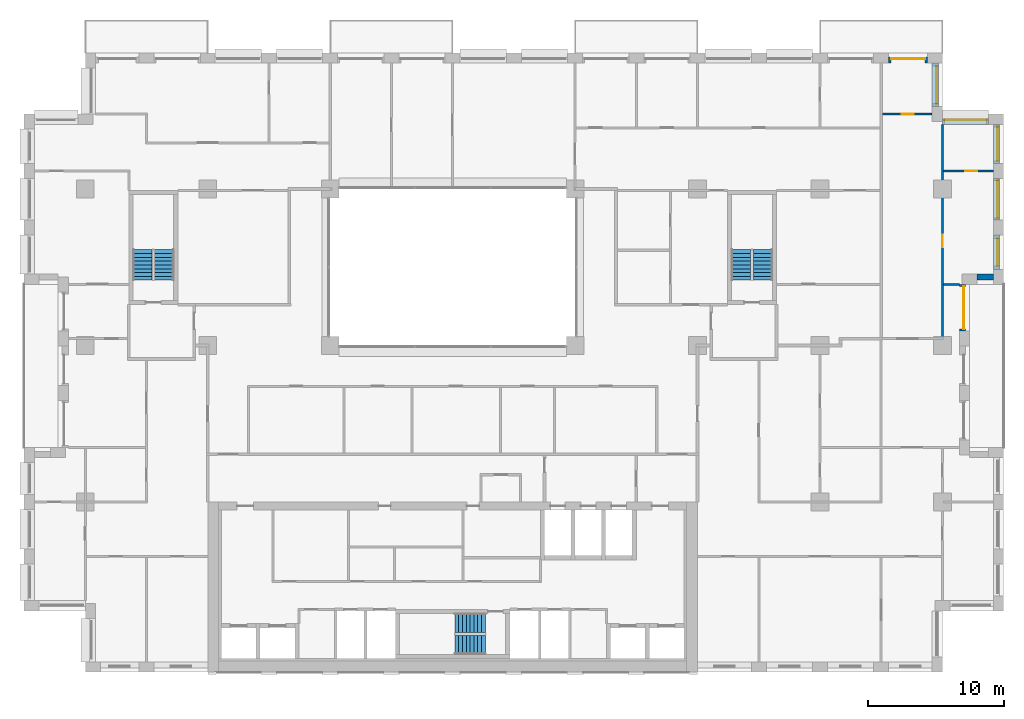
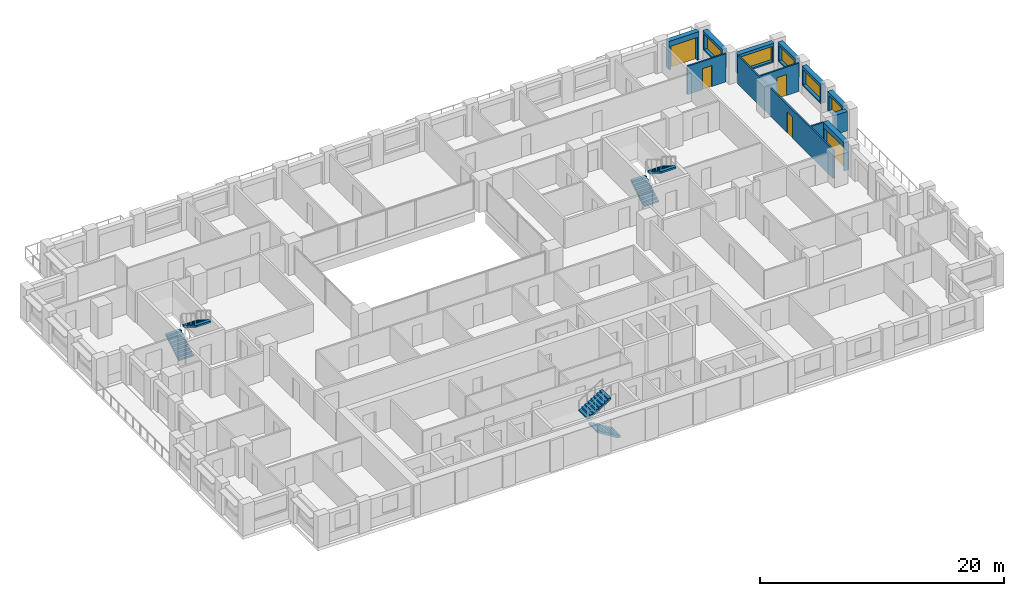
# One storey, part 15 of 16: 12 walls, 6 stair flights, 5 doors, 5 windows, 10 openings, 3 elements without a shape of their own.
"""IFC4 building model written with IfcOpenShell, lengths in metres."""

from ifc_helpers import new_model, si_unit, direction, frame, frame_2d, origin, place, context, subcontext, project, spatial, polyline, rectangle, outline, extrude, material, layer, layer_set, type_object, element, fill, aggregate, save


model = new_model("IFC4")

# Units and contexts
model_context = context("Model", 3, precision=1e-05, world=origin(), true_north=direction((0.0, 1.0)))
body_context = subcontext(model_context, "Body", "Model", "MODEL_VIEW")
ifc_project = project(units=[si_unit("LENGTHUNIT", "METRE"), si_unit("AREAUNIT", "SQUARE_METRE"), si_unit("VOLUMEUNIT", "CUBIC_METRE"), si_unit("PLANEANGLEUNIT", "RADIAN"), si_unit("MASSUNIT", "GRAM", prefix="KILO")], contexts=[model_context])

# Site, building, storey
site_placement = place(None, origin())
site = spatial("IfcSite", under=ifc_project, at=site_placement, CompositionType="ELEMENT")
building_placement = place(site_placement, origin())
building = spatial("IfcBuilding", under=site, at=building_placement, Name="Brigalow Station Residences", CompositionType="ELEMENT")
storey_placement = place(building_placement, frame((0.0, 0.0, 121.35009765625)))
storey = spatial("IfcBuildingStorey", under=building, at=storey_placement, Name="L35", CompositionType="ELEMENT", Elevation=121.35009765625)

# Wall, opening, door
ifc_material_1 = material(Name="Clay brick masonry", Category="masonry")
ifc_layer_1 = layer(ifc_material_1, 0.449951171875)
ifc_layer_set_1 = layer_set([ifc_layer_1], Name="BRICK INFILL WALL 450")
wall_type_1 = type_object("IfcWallType", Name="BRICK INFILL WALL 450", PredefinedType="SOLIDWALL", material=ifc_layer_set_1)
wall_1_placement = place(storey_placement, frame((73.47509765625, 25.050048828125, 0.0), z_axis=(0.0, 0.0, 1.0), x_axis=(0.0, 1.0, 0.0)))
wall_1 = element("IfcWall", 1, at=wall_1_placement, inside=storey, type_object=wall_type_1, Name="L35/ewall/W-L35-16", PredefinedType="SOLIDWALL", context=body_context, shape_type="SweptSolid", body=[
    extrude(rectangle(XDim=3.449951171875, YDim=0.449951171875, at=frame_2d((1.72509765625, 0.0))), origin(), (0.0, 0.0, 1.0), 2.829833984375),
])
opening_1_placement = place(wall_1_placement, frame((0.14990234375, 0.0, 0.0)))
opening_1 = element("IfcOpeningElement", 2, at=opening_1_placement, cuts=wall_1, Name="Opening D-B3150", PredefinedType="OPENING", context=body_context, shape_type="SweptSolid", body=[
    extrude(rectangle(XDim=3.14990234375, YDim=2.300048828125, at=frame_2d((1.574951171875, 1.14990234375))), frame((0.0, 0.23486328125, 0.0), z_axis=(0.0, -1.0, 0.0), x_axis=(1.0, 0.0, 0.0)), (0.0, 0.0, 1.0), 0.469970703125),
])
ifc_material_2 = material(Name="Anodised aluminium frame with double glazing", Category="aluminium")
door_type_1 = type_object("IfcDoorType", Name="BALCONY SLIDING DOOR 3150x2300", OperationType="SLIDING_TO_LEFT", PredefinedType="DOOR", material=ifc_material_2)
door_1_placement = place(opening_1_placement, origin())
door_1 = element("IfcDoor", 3, at=door_1_placement, inside=storey, type_object=door_type_1, Name="L35/balcony-door/W-L35-16", OperationType="SLIDING_TO_LEFT", OverallHeight=2.300048828125, OverallWidth=3.14990234375, PredefinedType="DOOR", context=body_context, shape_type="SweptSolid", body=[
    extrude(rectangle(XDim=3.14990234375, YDim=2.300048828125, at=frame_2d((1.574951171875, 1.14990234375))), frame((0.0, -0.06982421875, 0.0), z_axis=(0.0, -1.0, 0.0), x_axis=(1.0, 0.0, 0.0)), (0.0, 0.0, 1.0), 0.050048828125),
])
fill(opening_1, door_1)

# Wall
wall_2_placement = place(storey_placement, frame((74.550048828125, 29.02490234375, 0.89990234375), z_axis=(0.0, 0.0, 1.0), x_axis=(1.0, 0.0, 0.0)))
element("IfcWall", 4, at=wall_2_placement, inside=storey, type_object=wall_type_1, Name="L35/ewall/W-L35-17", PredefinedType="SOLIDWALL", context=body_context, shape_type="SweptSolid", body=[
    extrude(rectangle(XDim=1.199951171875, YDim=0.449951171875, at=frame_2d((0.60009765625, 0.0))), origin(), (0.0, 0.0, 1.0), 1.929931640625),
])

# Wall, opening, window
wall_3_placement = place(storey_placement, frame((75.97509765625, 29.60009765625, 0.89990234375), z_axis=(0.0, 0.0, 1.0), x_axis=(0.0, 1.0, 0.0)))
wall_3 = element("IfcWall", 5, at=wall_3_placement, inside=storey, type_object=wall_type_1, Name="L35/ewall/W-L35-18", PredefinedType="SOLIDWALL", context=body_context, shape_type="SweptSolid", body=[
    extrude(rectangle(XDim=2.516845703125, YDim=0.449951171875, at=frame_2d((1.25830078125, 0.0))), origin(), (0.0, 0.0, 1.0), 1.929931640625),
])
opening_2_placement = place(wall_3_placement, frame((0.258544921875, 0.0, 0.14990234375)))
opening_2 = element("IfcOpeningElement", 6, at=opening_2_placement, cuts=wall_3, Name="Opening WT-7", PredefinedType="OPENING", context=body_context, shape_type="SweptSolid", body=[
    extrude(rectangle(XDim=2.0, YDim=1.5, at=frame_2d((1.0, 0.75))), frame((0.0, 0.23486328125, 0.0), z_axis=(0.0, -1.0, 0.0), x_axis=(1.0, 0.0, 0.0)), (0.0, 0.0, 1.0), 0.469970703125),
])
ifc_material_3 = material(Name="Anodised aluminium frame with double glazing", Category="aluminium")
window_type_1 = type_object("IfcWindowType", Name="WINDOW 2000x1500", PartitioningType="SINGLE_PANEL", PredefinedType="WINDOW", material=ifc_material_3)
window_1_placement = place(opening_2_placement, origin())
window_1 = element("IfcWindow", 7, at=window_1_placement, inside=storey, type_object=window_type_1, Name="L35/window/W-L35-18", OverallHeight=1.5, OverallWidth=2.0, PartitioningType="SINGLE_PANEL", PredefinedType="WINDOW", context=body_context, shape_type="SweptSolid", body=[
    extrude(rectangle(XDim=2.0, YDim=1.5, at=frame_2d((1.0, 0.75))), frame((0.0, -0.06494140625, 0.0), z_axis=(0.0, -1.0, 0.0), x_axis=(1.0, 0.0, 0.0)), (0.0, 0.0, 1.0), 0.06005859375),
])
fill(opening_2, window_1)

wall_4_placement = place(storey_placement, frame((75.97509765625, 33.217041015625, 0.89990234375), z_axis=(0.0, 0.0, 1.0), x_axis=(0.0, 1.0, 0.0)))
wall_4 = element("IfcWall", 8, at=wall_4_placement, inside=storey, type_object=wall_type_1, Name="L35/ewall/W-L35-19", PredefinedType="SOLIDWALL", context=body_context, shape_type="SweptSolid", body=[
    extrude(rectangle(XDim=3.06591796875, YDim=0.449951171875, at=frame_2d((1.532958984375, 0.0))), origin(), (0.0, 0.0, 1.0), 1.929931640625),
])
opening_3_placement = place(wall_4_placement, frame((0.157958984375, 0.0, 0.14990234375)))
opening_3 = element("IfcOpeningElement", 9, at=opening_3_placement, cuts=wall_4, Name="Opening WT-3", PredefinedType="OPENING", context=body_context, shape_type="SweptSolid", body=[
    extrude(rectangle(XDim=2.75, YDim=1.5, at=frame_2d((1.375, 0.75))), frame((0.0, 0.23486328125, 0.0), z_axis=(0.0, -1.0, 0.0), x_axis=(1.0, 0.0, 0.0)), (0.0, 0.0, 1.0), 0.469970703125),
])
ifc_material_4 = material(Name="Anodised aluminium frame with double glazing", Category="aluminium")
window_type_2 = type_object("IfcWindowType", Name="WINDOW 2750x1500", PartitioningType="SINGLE_PANEL", PredefinedType="WINDOW", material=ifc_material_4)
window_2_placement = place(opening_3_placement, origin())
window_2 = element("IfcWindow", 10, at=window_2_placement, inside=storey, type_object=window_type_2, Name="L35/window/W-L35-19", OverallHeight=1.5, OverallWidth=2.75, PartitioningType="SINGLE_PANEL", PredefinedType="WINDOW", context=body_context, shape_type="SweptSolid", body=[
    extrude(rectangle(XDim=2.75, YDim=1.5, at=frame_2d((1.375, 0.75))), frame((0.0, -0.06494140625, 0.0), z_axis=(0.0, -1.0, 0.0), x_axis=(1.0, 0.0, 0.0)), (0.0, 0.0, 1.0), 0.06005859375),
])
fill(opening_3, window_2)

wall_5_placement = place(storey_placement, frame((75.97509765625, 37.383056640625, 0.89990234375), z_axis=(0.0, 0.0, 1.0), x_axis=(0.0, 1.0, 0.0)))
wall_5 = element("IfcWall", 11, at=wall_5_placement, inside=storey, type_object=wall_type_1, Name="L35/ewall/W-L35-20", PredefinedType="SOLIDWALL", context=body_context, shape_type="SweptSolid", body=[
    extrude(rectangle(XDim=2.866943359375, YDim=0.449951171875, at=frame_2d((1.43359375, 0.0))), origin(), (0.0, 0.0, 1.0), 1.929931640625),
])
opening_4_placement = place(wall_5_placement, frame((0.18359375, 0.0, 0.14990234375)))
opening_4 = element("IfcOpeningElement", 12, at=opening_4_placement, cuts=wall_5, Name="Opening WT-5", PredefinedType="OPENING", context=body_context, shape_type="SweptSolid", body=[
    extrude(rectangle(XDim=2.5, YDim=1.5, at=frame_2d((1.25, 0.75))), frame((0.0, 0.23486328125, 0.0), z_axis=(0.0, -1.0, 0.0), x_axis=(1.0, 0.0, 0.0)), (0.0, 0.0, 1.0), 0.469970703125),
])
ifc_material_5 = material(Name="Anodised aluminium frame with double glazing", Category="aluminium")
window_type_3 = type_object("IfcWindowType", Name="WINDOW 2500x1500", PartitioningType="SINGLE_PANEL", PredefinedType="WINDOW", material=ifc_material_5)
window_3_placement = place(opening_4_placement, origin())
window_3 = element("IfcWindow", 13, at=window_3_placement, inside=storey, type_object=window_type_3, Name="L35/window/W-L35-20", OverallHeight=1.5, OverallWidth=2.5, PartitioningType="SINGLE_PANEL", PredefinedType="WINDOW", context=body_context, shape_type="SweptSolid", body=[
    extrude(rectangle(XDim=2.5, YDim=1.5, at=frame_2d((1.25, 0.75))), frame((0.0, -0.06494140625, 0.0), z_axis=(0.0, -1.0, 0.0), x_axis=(1.0, 0.0, 0.0)), (0.0, 0.0, 1.0), 0.06005859375),
])
fill(opening_4, window_3)

wall_6_placement = place(storey_placement, frame((75.39990234375, 40.47509765625, 0.89990234375), z_axis=(0.0, 0.0, 1.0), x_axis=(-1.0, 0.0, 0.0)))
wall_6 = element("IfcWall", 14, at=wall_6_placement, inside=storey, type_object=wall_type_1, Name="L35/ewall/W-L35-21", PredefinedType="SOLIDWALL", context=body_context, shape_type="SweptSolid", body=[
    extrude(rectangle(XDim=3.39990234375, YDim=0.449951171875, at=frame_2d((1.699951171875, 0.0))), origin(), (0.0, 0.0, 1.0), 1.929931640625),
])
opening_5_placement = place(wall_6_placement, frame((0.14990234375, 0.0, 0.14990234375)))
opening_5 = element("IfcOpeningElement", 15, at=opening_5_placement, cuts=wall_6, Name="Opening WT-8", PredefinedType="OPENING", context=body_context, shape_type="SweptSolid", body=[
    extrude(rectangle(XDim=3.10009765625, YDim=1.5, at=frame_2d((1.550048828125, 0.75))), frame((0.0, 0.23486328125, 0.0), z_axis=(0.0, -1.0, 0.0), x_axis=(1.0, 0.0, 0.0)), (0.0, 0.0, 1.0), 0.469970703125),
])
ifc_material_6 = material(Name="Anodised aluminium frame with double glazing", Category="aluminium")
window_type_4 = type_object("IfcWindowType", Name="WINDOW 3100x1500", PartitioningType="SINGLE_PANEL", PredefinedType="WINDOW", material=ifc_material_6)
window_4_placement = place(opening_5_placement, origin())
window_4 = element("IfcWindow", 16, at=window_4_placement, inside=storey, type_object=window_type_4, Name="L35/window/W-L35-21", OverallHeight=1.5, OverallWidth=3.10009765625, PartitioningType="SINGLE_PANEL", PredefinedType="WINDOW", context=body_context, shape_type="SweptSolid", body=[
    extrude(rectangle(XDim=3.10009765625, YDim=1.5, at=frame_2d((1.550048828125, 0.75))), frame((0.0, -0.06494140625, 0.0), z_axis=(0.0, -1.0, 0.0), x_axis=(1.0, 0.0, 0.0)), (0.0, 0.0, 1.0), 0.06005859375),
])
fill(opening_5, window_4)

wall_7_placement = place(storey_placement, frame((71.47509765625, 41.550048828125, 0.89990234375), z_axis=(0.0, 0.0, 1.0), x_axis=(0.0, 1.0, 0.0)))
wall_7 = element("IfcWall", 17, at=wall_7_placement, inside=storey, type_object=wall_type_1, Name="L35/ewall/W-L35-22", PredefinedType="SOLIDWALL", context=body_context, shape_type="SweptSolid", body=[
    extrude(rectangle(XDim=3.199951171875, YDim=0.449951171875, at=frame_2d((1.60009765625, 0.0))), origin(), (0.0, 0.0, 1.0), 1.929931640625),
])
opening_6_placement = place(wall_7_placement, frame((0.22509765625, 0.0, 0.14990234375)))
opening_6 = element("IfcOpeningElement", 18, at=opening_6_placement, cuts=wall_7, Name="Opening WT-3", PredefinedType="OPENING", context=body_context, shape_type="SweptSolid", body=[
    extrude(rectangle(XDim=2.75, YDim=1.5, at=frame_2d((1.375, 0.75))), frame((0.0, 0.23486328125, 0.0), z_axis=(0.0, -1.0, 0.0), x_axis=(1.0, 0.0, 0.0)), (0.0, 0.0, 1.0), 0.469970703125),
])
window_5_placement = place(opening_6_placement, origin())
window_5 = element("IfcWindow", 19, at=window_5_placement, inside=storey, type_object=window_type_2, Name="L35/window/W-L35-22", OverallHeight=1.5, OverallWidth=2.75, PartitioningType="SINGLE_PANEL", PredefinedType="WINDOW", context=body_context, shape_type="SweptSolid", body=[
    extrude(rectangle(XDim=2.75, YDim=1.5, at=frame_2d((1.375, 0.75))), frame((0.0, -0.06494140625, 0.0), z_axis=(0.0, -1.0, 0.0), x_axis=(1.0, 0.0, 0.0)), (0.0, 0.0, 1.0), 0.06005859375),
])
fill(opening_6, window_5)

# Wall, opening, door
wall_8_placement = place(storey_placement, frame((70.89990234375, 44.97509765625, 0.0), z_axis=(0.0, 0.0, 1.0), x_axis=(-1.0, 0.0, 0.0)))
wall_8 = element("IfcWall", 20, at=wall_8_placement, inside=storey, type_object=wall_type_1, Name="L35/ewall/W-L35-23", PredefinedType="SOLIDWALL", context=body_context, shape_type="SweptSolid", body=[
    extrude(rectangle(XDim=2.849853515625, YDim=0.449951171875, at=frame_2d((1.4248046875, 0.0))), origin(), (0.0, 0.0, 1.0), 2.829833984375),
])
opening_7_placement = place(wall_8_placement, frame((0.175048828125, 0.0, 0.0)))
opening_7 = element("IfcOpeningElement", 21, at=opening_7_placement, cuts=wall_8, Name="Opening D-B2500", PredefinedType="OPENING", context=body_context, shape_type="SweptSolid", body=[
    extrude(rectangle(XDim=2.5, YDim=2.300048828125, at=frame_2d((1.25, 1.14990234375))), frame((0.0, 0.23486328125, 0.0), z_axis=(0.0, -1.0, 0.0), x_axis=(1.0, 0.0, 0.0)), (0.0, 0.0, 1.0), 0.469970703125),
])
ifc_material_7 = material(Name="Anodised aluminium frame with double glazing", Category="aluminium")
door_type_2 = type_object("IfcDoorType", Name="BALCONY SLIDING DOOR 2500x2300", OperationType="SLIDING_TO_LEFT", PredefinedType="DOOR", material=ifc_material_7)
door_2_placement = place(opening_7_placement, origin())
door_2 = element("IfcDoor", 22, at=door_2_placement, inside=storey, type_object=door_type_2, Name="L35/balcony-door/W-L35-23", OperationType="SLIDING_TO_LEFT", OverallHeight=2.300048828125, OverallWidth=2.5, PredefinedType="DOOR", context=body_context, shape_type="SweptSolid", body=[
    extrude(rectangle(XDim=2.5, YDim=2.300048828125, at=frame_2d((1.25, 1.14990234375))), frame((0.0, -0.06982421875, 0.0), z_axis=(0.0, -1.0, 0.0), x_axis=(1.0, 0.0, 0.0)), (0.0, 0.0, 1.0), 0.050048828125),
])
fill(opening_7, door_2)

# Wall
ifc_material_8 = material(Name="Plasterboard on steel stud partition", Category="steel")
ifc_layer_2 = layer(ifc_material_8, 0.14990234375)
ifc_layer_set_2 = layer_set([ifc_layer_2], Name="FLAT PARTITION 150")
wall_type_2 = type_object("IfcWallType", Name="FLAT PARTITION 150", PredefinedType="PARTITIONING", material=ifc_layer_set_2)
wall_9_placement = place(storey_placement, frame((72.074951171875, 28.5, 0.0), z_axis=(0.0, 0.0, 1.0), x_axis=(1.0, 0.0, 0.0)))
element("IfcWall", 23, at=wall_9_placement, inside=storey, type_object=wall_type_2, Name="PW-2E23", PredefinedType="PARTITIONING", context=body_context, shape_type="SweptSolid", body=[
    extrude(rectangle(XDim=1.175048828125, YDim=0.14990234375, at=frame_2d((0.58740234375, 0.0))), origin(), (0.0, 0.0, 1.0), 2.829833984375),
])

# Wall, opening, door
wall_10_placement = place(storey_placement, frame((72.074951171875, 36.8330078125, 0.0), z_axis=(0.0, 0.0, 1.0), x_axis=(1.0, 0.0, 0.0)))
wall_10 = element("IfcWall", 24, at=wall_10_placement, inside=storey, type_object=wall_type_2, Name="PW-2E25", PredefinedType="PARTITIONING", context=body_context, shape_type="SweptSolid", body=[
    extrude(rectangle(XDim=3.675048828125, YDim=0.14990234375, at=frame_2d((1.83740234375, 0.0))), origin(), (0.0, 0.0, 1.0), 2.829833984375),
])
opening_8_placement = place(wall_10_placement, frame((1.60009765625, 0.0, 0.0)))
opening_8 = element("IfcOpeningElement", 25, at=opening_8_placement, cuts=wall_10, Name="Opening D-2E43", PredefinedType="OPENING", context=body_context, shape_type="SweptSolid", body=[
    extrude(rectangle(XDim=0.89990234375, YDim=2.10009765625, at=frame_2d((0.449951171875, 1.050048828125))), frame((0.0, 0.0849609375, 0.0), z_axis=(0.0, -1.0, 0.0), x_axis=(1.0, 0.0, 0.0)), (0.0, 0.0, 1.0), 0.169921875),
])
ifc_material_9 = material(Name="Solid-core timber door leaf", Category="wood")
door_type_3 = type_object("IfcDoorType", Name="INTERNAL DOOR 900 x 2100", OperationType="SINGLE_SWING_LEFT", PredefinedType="DOOR", material=ifc_material_9)
door_3_placement = place(opening_8_placement, origin())
door_3 = element("IfcDoor", 26, at=door_3_placement, inside=storey, type_object=door_type_3, Name="D-2E43", OperationType="SINGLE_SWING_RIGHT", OverallHeight=2.10009765625, OverallWidth=0.89990234375, PredefinedType="DOOR", context=body_context, shape_type="SweptSolid", body=[
    extrude(rectangle(XDim=0.89990234375, YDim=2.10009765625, at=frame_2d((0.449951171875, 1.050048828125))), frame((0.0, 0.02490234375, 0.0), z_axis=(0.0, -1.0, 0.0), x_axis=(1.0, 0.0, 0.0)), (0.0, 0.0, 1.0), 0.050048828125),
])
fill(opening_8, door_3)

wall_11_placement = place(storey_placement, frame((67.60009765625, 41.0, 0.0), z_axis=(0.0, 0.0, 1.0), x_axis=(1.0, 0.0, 0.0)))
wall_11 = element("IfcWall", 27, at=wall_11_placement, inside=storey, type_object=wall_type_2, Name="PW-2E31", PredefinedType="PARTITIONING", context=body_context, shape_type="SweptSolid", body=[
    extrude(rectangle(XDim=3.64990234375, YDim=0.14990234375, at=frame_2d((1.824951171875, 0.0))), origin(), (0.0, 0.0, 1.0), 2.829833984375),
])
opening_9_placement = place(wall_11_placement, frame((1.39990234375, 0.0, 0.0)))
opening_9 = element("IfcOpeningElement", 28, at=opening_9_placement, cuts=wall_11, Name="Opening D-2E44", PredefinedType="OPENING", context=body_context, shape_type="SweptSolid", body=[
    extrude(rectangle(XDim=0.89990234375, YDim=2.10009765625, at=frame_2d((0.449951171875, 1.050048828125))), frame((0.0, 0.0849609375, 0.0), z_axis=(0.0, -1.0, 0.0), x_axis=(1.0, 0.0, 0.0)), (0.0, 0.0, 1.0), 0.169921875),
])
door_4_placement = place(opening_9_placement, origin())
door_4 = element("IfcDoor", 29, at=door_4_placement, inside=storey, type_object=door_type_3, Name="D-2E44", OperationType="SINGLE_SWING_RIGHT", OverallHeight=2.10009765625, OverallWidth=0.89990234375, PredefinedType="DOOR", context=body_context, shape_type="SweptSolid", body=[
    extrude(rectangle(XDim=0.89990234375, YDim=2.10009765625, at=frame_2d((0.449951171875, 1.050048828125))), frame((0.0, 0.02490234375, 0.0), z_axis=(0.0, -1.0, 0.0), x_axis=(1.0, 0.0, 0.0)), (0.0, 0.0, 1.0), 0.050048828125),
])
fill(opening_9, door_4)

wall_12_placement = place(storey_placement, frame((72.0, 24.574951171875, 0.0), z_axis=(0.0, 0.0, 1.0), x_axis=(0.0, 1.0, 0.0)))
wall_12 = element("IfcWall", 30, at=wall_12_placement, inside=storey, type_object=wall_type_2, Name="PW-2E65", PredefinedType="PARTITIONING", context=body_context, shape_type="SweptSolid", body=[
    extrude(rectangle(XDim=15.675048828125, YDim=0.14990234375, at=frame_2d((7.83740234375, 0.0))), origin(), (0.0, 0.0, 1.0), 2.829833984375),
])
opening_10_placement = place(wall_12_placement, frame((6.64990234375, 0.0, 0.0)))
opening_10 = element("IfcOpeningElement", 31, at=opening_10_placement, cuts=wall_12, Name="Opening D-2E42", PredefinedType="OPENING", context=body_context, shape_type="SweptSolid", body=[
    extrude(rectangle(XDim=0.89990234375, YDim=2.10009765625, at=frame_2d((0.449951171875, 1.050048828125))), frame((0.0, 0.0849609375, 0.0), z_axis=(0.0, -1.0, 0.0), x_axis=(1.0, 0.0, 0.0)), (0.0, 0.0, 1.0), 0.169921875),
])
door_5_placement = place(opening_10_placement, frame((0.89990234375, 0.0, 0.0), z_axis=(0.0, 0.0, 1.0), x_axis=(-1.0, 0.0, 0.0)))
door_5 = element("IfcDoor", 32, at=door_5_placement, inside=storey, type_object=door_type_3, Name="D-2E42", OperationType="SINGLE_SWING_RIGHT", OverallHeight=2.10009765625, OverallWidth=0.89990234375, PredefinedType="DOOR", context=body_context, shape_type="SweptSolid", body=[
    extrude(rectangle(XDim=0.89990234375, YDim=2.10009765625, at=frame_2d((0.449951171875, 1.050048828125))), frame((0.0, 0.02490234375, 0.0), z_axis=(0.0, -1.0, 0.0), x_axis=(1.0, 0.0, 0.0)), (0.0, 0.0, 1.0), 0.050048828125),
])
fill(opening_10, door_5)

# Stair, stair flights
ifc_material_10 = material(Name="Concrete C50", Category="concrete")
stair_type = type_object("IfcStairType", Name="EXIT STAIR 1400 2 FLIGHT", PredefinedType="HALF_TURN_STAIR", material=ifc_material_10)
stair_1_placement = place(storey_placement, origin())
stair_1 = element("IfcStair", 33, at=stair_1_placement, inside=storey, type_object=stair_type, Name="EXIT STAIR S2 L35", PredefinedType="HALF_TURN_STAIR")
ifc_material_11 = material(Name="Concrete C50", Category="concrete")
stair_flight_type = type_object("IfcStairFlightType", Name="STAIR FLIGHT 1400", PredefinedType="STRAIGHT", material=ifc_material_11)
stair_flight_1_placement = place(storey_placement, frame((38.39990234375, 2.0, 0.0), z_axis=(0.0, 0.0, 1.0), x_axis=(-1.0, 0.0, 0.0)))
stair_flight_1 = element("IfcStairFlight", 34, at=stair_flight_1_placement, type_object=stair_flight_type, Name="ST-2 flight 1", NumberOfRisers=9, NumberOfTreads=8, PredefinedType="STRAIGHT", RiserHeight=0.175, TreadLength=0.28, context=body_context, shape_type="SweptSolid", body=[
    extrude(outline(polyline([(0.0, 0.0), (0.0, 0.175048828125), (0.280029296875, 0.175048828125), (0.280029296875, 0.35009765625), (0.56005859375, 0.35009765625), (0.56005859375, 0.52490234375), (0.840087890625, 0.52490234375), (0.840087890625, 0.699951171875), (1.1201171875, 0.699951171875), (1.1201171875, 0.875), (1.39990234375, 0.875), (1.39990234375, 1.050048828125), (1.679931640625, 1.050048828125), (1.679931640625, 1.22509765625), (1.9599609375, 1.22509765625), (1.9599609375, 1.39990234375), (2.239990234375, 1.39990234375), (2.239990234375, 1.574951171875), (2.239990234375, 1.22314453125), (0.28271484375, 0.0), (0.0, 0.0)])), frame((0.0, 0.699951171875, 0.0), z_axis=(0.0, -1.0, 0.0), x_axis=(1.0, 0.0, 0.0)), (0.0, 0.0, 1.0), 1.39990234375),
])
stair_flight_2_placement = place(storey_placement, frame((36.159912109375, 3.60009765625, 1.574951171875), z_axis=(0.0, 0.0, 1.0), x_axis=(1.0, 0.0, 0.0)))
stair_flight_2 = element("IfcStairFlight", 35, at=stair_flight_2_placement, type_object=stair_flight_type, Name="ST-2 flight 2", NumberOfRisers=9, NumberOfTreads=8, PredefinedType="STRAIGHT", RiserHeight=0.175, TreadLength=0.28, context=body_context, shape_type="SweptSolid", body=[
    extrude(outline(polyline([(0.0, 0.0), (0.0, 0.175048828125), (0.280029296875, 0.175048828125), (0.280029296875, 0.35009765625), (0.56005859375, 0.35009765625), (0.56005859375, 0.52490234375), (0.840087890625, 0.52490234375), (0.840087890625, 0.699951171875), (1.1201171875, 0.699951171875), (1.1201171875, 0.875), (1.39990234375, 0.875), (1.39990234375, 1.050048828125), (1.679931640625, 1.050048828125), (1.679931640625, 1.22509765625), (1.9599609375, 1.22509765625), (1.9599609375, 1.39990234375), (2.239990234375, 1.39990234375), (2.239990234375, 1.574951171875), (2.239990234375, 1.22314453125), (0.28271484375, 0.0), (0.0, 0.0)])), frame((0.0, 0.699951171875, 0.0), z_axis=(0.0, -1.0, 0.0), x_axis=(1.0, 0.0, 0.0)), (0.0, 0.0, 1.0), 1.39990234375),
])
aggregate(stair_1, [stair_flight_1, stair_flight_2])

stair_2_placement = place(storey_placement, origin())
stair_2 = element("IfcStair", 36, at=stair_2_placement, inside=storey, type_object=stair_type, Name="EXIT STAIR S1 L35", PredefinedType="HALF_TURN_STAIR")
stair_flight_3_placement = place(storey_placement, frame((13.199951171875, 28.800048828125, 0.0), z_axis=(0.0, 0.0, 1.0), x_axis=(0.0, 1.0, 0.0)))
stair_flight_3 = element("IfcStairFlight", 37, at=stair_flight_3_placement, type_object=stair_flight_type, Name="ST-1 flight 1", NumberOfRisers=9, NumberOfTreads=8, PredefinedType="STRAIGHT", RiserHeight=0.175, TreadLength=0.28, context=body_context, shape_type="SweptSolid", body=[
    extrude(outline(polyline([(0.0, 0.0), (0.0, 0.175048828125), (0.280029296875, 0.175048828125), (0.280029296875, 0.35009765625), (0.56005859375, 0.35009765625), (0.56005859375, 0.52490234375), (0.840087890625, 0.52490234375), (0.840087890625, 0.699951171875), (1.1201171875, 0.699951171875), (1.1201171875, 0.875), (1.39990234375, 0.875), (1.39990234375, 1.050048828125), (1.679931640625, 1.050048828125), (1.679931640625, 1.22509765625), (1.9599609375, 1.22509765625), (1.9599609375, 1.39990234375), (2.239990234375, 1.39990234375), (2.239990234375, 1.574951171875), (2.239990234375, 1.22314453125), (0.28271484375, 0.0), (0.0, 0.0)])), frame((0.0, 0.699951171875, 0.0), z_axis=(0.0, -1.0, 0.0), x_axis=(1.0, 0.0, 0.0)), (0.0, 0.0, 1.0), 1.39990234375),
])
stair_flight_4_placement = place(storey_placement, frame((14.800048828125, 31.0400390625, 1.574951171875), z_axis=(0.0, 0.0, 1.0), x_axis=(0.0, -1.0, 0.0)))
stair_flight_4 = element("IfcStairFlight", 38, at=stair_flight_4_placement, type_object=stair_flight_type, Name="ST-1 flight 2", NumberOfRisers=9, NumberOfTreads=8, PredefinedType="STRAIGHT", RiserHeight=0.175, TreadLength=0.28, context=body_context, shape_type="SweptSolid", body=[
    extrude(outline(polyline([(0.0, 0.0), (0.0, 0.175048828125), (0.280029296875, 0.175048828125), (0.280029296875, 0.35009765625), (0.56005859375, 0.35009765625), (0.56005859375, 0.52490234375), (0.840087890625, 0.52490234375), (0.840087890625, 0.699951171875), (1.1201171875, 0.699951171875), (1.1201171875, 0.875), (1.39990234375, 0.875), (1.39990234375, 1.050048828125), (1.679931640625, 1.050048828125), (1.679931640625, 1.22509765625), (1.9599609375, 1.22509765625), (1.9599609375, 1.39990234375), (2.239990234375, 1.39990234375), (2.239990234375, 1.574951171875), (2.239990234375, 1.22314453125), (0.28271484375, 0.0), (0.0, 0.0)])), frame((0.0, 0.699951171875, 0.0), z_axis=(0.0, -1.0, 0.0), x_axis=(1.0, 0.0, 0.0)), (0.0, 0.0, 1.0), 1.39990234375),
])
aggregate(stair_2, [stair_flight_3, stair_flight_4])

stair_3_placement = place(storey_placement, origin())
stair_3 = element("IfcStair", 39, at=stair_3_placement, inside=storey, type_object=stair_type, Name="EXIT STAIR S3 L35", PredefinedType="HALF_TURN_STAIR")
stair_flight_5_placement = place(storey_placement, frame((57.199951171875, 28.800048828125, 0.0), z_axis=(0.0, 0.0, 1.0), x_axis=(0.0, 1.0, 0.0)))
stair_flight_5 = element("IfcStairFlight", 40, at=stair_flight_5_placement, type_object=stair_flight_type, Name="ST-3 flight 1", NumberOfRisers=9, NumberOfTreads=8, PredefinedType="STRAIGHT", RiserHeight=0.175, TreadLength=0.28, context=body_context, shape_type="SweptSolid", body=[
    extrude(outline(polyline([(0.0, 0.0), (0.0, 0.175048828125), (0.280029296875, 0.175048828125), (0.280029296875, 0.35009765625), (0.56005859375, 0.35009765625), (0.56005859375, 0.52490234375), (0.840087890625, 0.52490234375), (0.840087890625, 0.699951171875), (1.1201171875, 0.699951171875), (1.1201171875, 0.875), (1.39990234375, 0.875), (1.39990234375, 1.050048828125), (1.679931640625, 1.050048828125), (1.679931640625, 1.22509765625), (1.9599609375, 1.22509765625), (1.9599609375, 1.39990234375), (2.239990234375, 1.39990234375), (2.239990234375, 1.574951171875), (2.239990234375, 1.22314453125), (0.28271484375, 0.0), (0.0, 0.0)])), frame((0.0, 0.699951171875, 0.0), z_axis=(0.0, -1.0, 0.0), x_axis=(1.0, 0.0, 0.0)), (0.0, 0.0, 1.0), 1.39990234375),
])
stair_flight_6_placement = place(storey_placement, frame((58.800048828125, 31.0400390625, 1.574951171875), z_axis=(0.0, 0.0, 1.0), x_axis=(0.0, -1.0, 0.0)))
stair_flight_6 = element("IfcStairFlight", 41, at=stair_flight_6_placement, type_object=stair_flight_type, Name="ST-3 flight 2", NumberOfRisers=9, NumberOfTreads=8, PredefinedType="STRAIGHT", RiserHeight=0.175, TreadLength=0.28, context=body_context, shape_type="SweptSolid", body=[
    extrude(outline(polyline([(0.0, 0.0), (0.0, 0.175048828125), (0.280029296875, 0.175048828125), (0.280029296875, 0.35009765625), (0.56005859375, 0.35009765625), (0.56005859375, 0.52490234375), (0.840087890625, 0.52490234375), (0.840087890625, 0.699951171875), (1.1201171875, 0.699951171875), (1.1201171875, 0.875), (1.39990234375, 0.875), (1.39990234375, 1.050048828125), (1.679931640625, 1.050048828125), (1.679931640625, 1.22509765625), (1.9599609375, 1.22509765625), (1.9599609375, 1.39990234375), (2.239990234375, 1.39990234375), (2.239990234375, 1.574951171875), (2.239990234375, 1.22314453125), (0.28271484375, 0.0), (0.0, 0.0)])), frame((0.0, 0.699951171875, 0.0), z_axis=(0.0, -1.0, 0.0), x_axis=(1.0, 0.0, 0.0)), (0.0, 0.0, 1.0), 1.39990234375),
])
aggregate(stair_3, [stair_flight_5, stair_flight_6])

save(model, "model.ifc")
